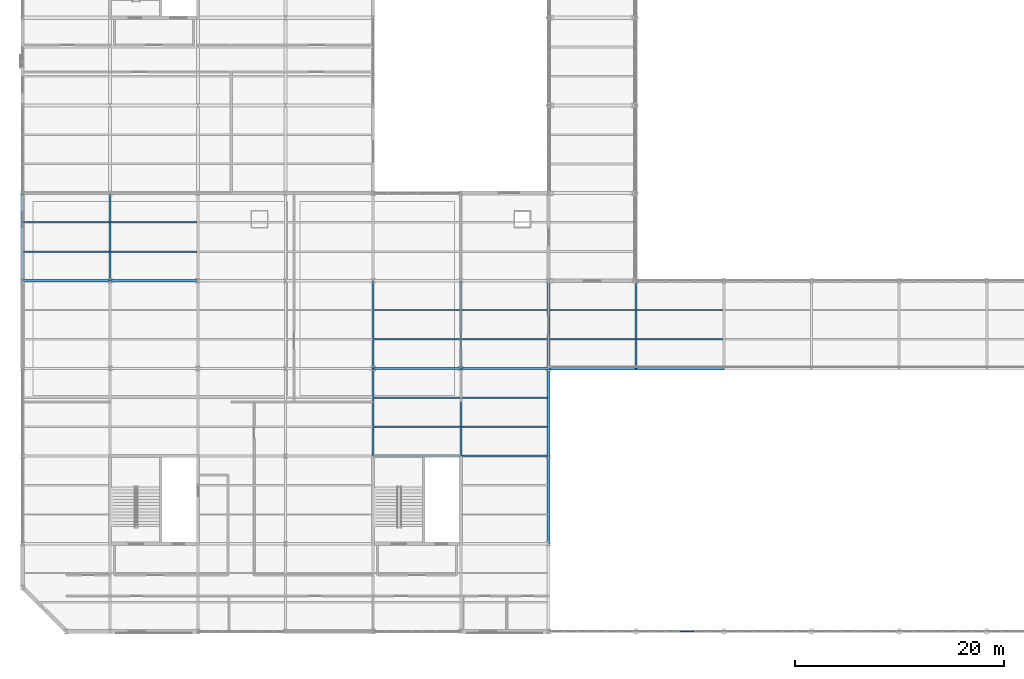
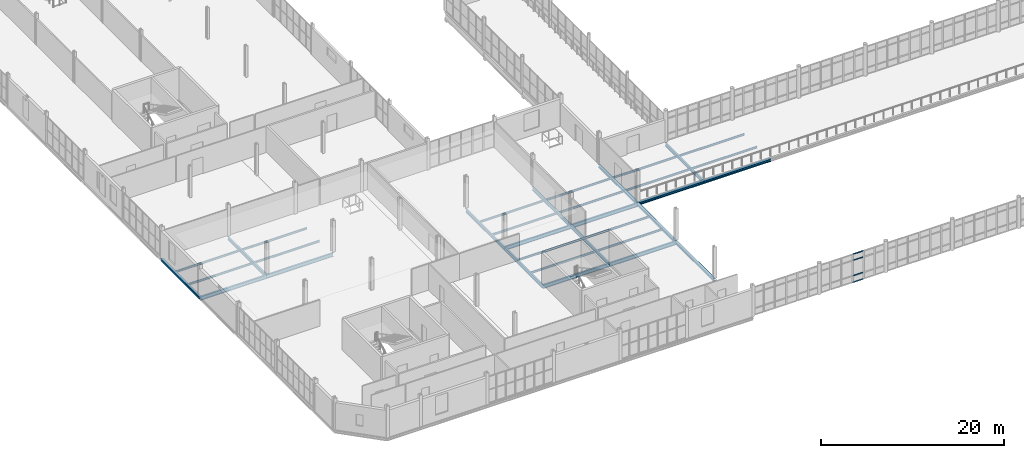
# One storey, part 37 of 163: 34 beams, 4 members, 1 element without a shape of its own.
"""IFC4 building model written with IfcOpenShell, lengths in metres."""

import ifcopenshell
import ifcopenshell.guid

model = None  # the IFC model being written
_history = None  # IfcOwnerHistory: only IFC2X3 demands one
_inside = {}  # id of a spatial element -> (the spatial element, [elements in it])
_under = {}  # id of a project, library or spatial element -> (it, [spatial elements below it])
_declared = {}  # id of a project -> (the project, [libraries it declares])
_typed = {}  # id of a type object -> (the type object, [elements of that type])
_made_of = {}  # id of a material, layer set ... -> (it, [elements and type objects made of it])


def new_model(schema):
    """Start an empty IFC model of exactly this schema.

    Asked for "IFC4X3", IfcOpenShell would pick the latest addendum, in which some entities
    have other attributes; the version numbers below select the first issue.
    IFC2X3 requires an IfcOwnerHistory on every rooted entity: one is made here for all.
    """
    global model, _history
    if schema == "IFC4X3":
        model = ifcopenshell.file(schema_version=(4, 3, 0, 0))
    else:
        model = ifcopenshell.file(schema=schema)
    _inside.clear()
    _under.clear()
    _declared.clear()
    _typed.clear()
    _made_of.clear()
    _history = None
    if model.schema == "IFC2X3":
        org = make("IfcOrganization", Name="unknown")
        user = make(
            "IfcPersonAndOrganization",
            ThePerson=make("IfcPerson", FamilyName="unknown"),
            TheOrganization=org,
        )
        app = make(
            "IfcApplication",
            ApplicationDeveloper=org,
            Version="unknown",
            ApplicationFullName="unknown",
            ApplicationIdentifier="unknown",
        )
        _history = make(
            "IfcOwnerHistory",
            OwningUser=user,
            OwningApplication=app,
            ChangeAction="ADDED",
            CreationDate=0,
        )
    return model


def make(cls, **values):
    """One entity of the class cls with the attributes given. An attribute that is None is left unset."""
    return model.create_entity(
        cls, **{name: value for name, value in values.items() if value is not None}
    )


def rooted(cls, **values):
    """An entity with a GlobalId (a new one), such as an element, a storey or a relation."""
    return make(cls, GlobalId=ifcopenshell.guid.new(), OwnerHistory=_history, **values)


def si_unit(unit_type, name, prefix=None):
    """IfcSIUnit, for example si_unit("LENGTHUNIT", "METRE", prefix="MILLI")."""
    return make("IfcSIUnit", UnitType=unit_type, Prefix=prefix, Name=name)


def assignment(units):
    """IfcUnitAssignment: the units of a project."""
    return None if units is None else make("IfcUnitAssignment", Units=units)


def point(xyz):
    """IfcCartesianPoint."""
    return None if xyz is None else make("IfcCartesianPoint", Coordinates=xyz)


def direction(xyz):
    """IfcDirection."""
    return None if xyz is None else make("IfcDirection", DirectionRatios=xyz)


def frame(location, z_axis=None, x_axis=None):
    """IfcAxis2Placement3D, a coordinate frame: its origin and axes. An axis left out is left unset."""
    return make(
        "IfcAxis2Placement3D",
        Location=point(location),
        Axis=direction(z_axis),
        RefDirection=direction(x_axis),
    )


def frame_2d(location, x_axis=None):
    """IfcAxis2Placement2D, a coordinate frame in the plane: its origin and x axis."""
    return make(
        "IfcAxis2Placement2D", Location=point(location), RefDirection=direction(x_axis)
    )


def origin():
    """The frame at (0, 0, 0) with its axes left unset."""
    return frame((0.0, 0.0, 0.0))


def origin_2d():
    """The frame at (0, 0) in the plane with its x axis left unset."""
    return frame_2d((0.0, 0.0))


def place(relative_to, where):
    """IfcLocalPlacement: puts the frame where relative to a parent placement (None: the world)."""
    return make(
        "IfcLocalPlacement", PlacementRelTo=relative_to, RelativePlacement=where
    )


def context(
    kind, dimensions, precision=None, world=None, true_north=None, identifier=None
):
    """IfcGeometricRepresentationContext, for example the 3D "Model" context."""
    return make(
        "IfcGeometricRepresentationContext",
        ContextIdentifier=identifier,
        ContextType=kind,
        CoordinateSpaceDimension=dimensions,
        Precision=precision,
        WorldCoordinateSystem=world,
        TrueNorth=true_north,
    )


def subcontext(parent, identifier, kind, view, scale=None):
    """IfcGeometricRepresentationSubContext, for example "Body" below "Model"."""
    return make(
        "IfcGeometricRepresentationSubContext",
        ContextIdentifier=identifier,
        ContextType=kind,
        ParentContext=parent,
        TargetScale=scale,
        TargetView=view,
    )


def project(units=None, contexts=None):
    """IfcProject with its units and contexts."""
    return rooted(
        "IfcProject",
        Name="project",
        RepresentationContexts=contexts,
        UnitsInContext=assignment(units),
    )


def spatial(cls, under=None, at=None, **own):
    """A site, building, storey or space (cls), placed at a placement, below another one or the project."""
    s = rooted(cls, ObjectPlacement=at, **own)
    if under is not None:
        _under.setdefault(under.id(), (under, []))[1].append(s)
    return s


def profile(cls, at=None, kind="AREA", **sizes):
    """A parametric profile (cls). Its sizes go by their IFC names, for example OverallWidth=200.0."""
    return make(cls, ProfileType=kind, Position=at, **sizes)


def hollow_rectangle(**sizes):
    """IfcRectangleHollowProfileDef."""
    return profile("IfcRectangleHollowProfileDef", **sizes)


def i_section(**sizes):
    """IfcIShapeProfileDef."""
    return profile("IfcIShapeProfileDef", **sizes)


def extrude(swept, where, along, depth):
    """IfcExtrudedAreaSolid: the profile swept, set in the frame where, extruded along a direction by depth."""
    return make(
        "IfcExtrudedAreaSolid",
        SweptArea=swept,
        Position=where,
        ExtrudedDirection=direction(along),
        Depth=depth,
    )


def shape(context_of_items, identifier, shape_type, items):
    """IfcShapeRepresentation: the items that make up one representation, for example the "Body"."""
    return make(
        "IfcShapeRepresentation",
        ContextOfItems=context_of_items,
        RepresentationIdentifier=identifier,
        RepresentationType=shape_type,
        Items=items,
    )


def material(Name=None, Category=None):
    """IfcMaterial."""
    return make("IfcMaterial", Name=Name, Category=Category)


def layer(
    of_material, thickness, ventilated=None, Name=None, Category=None, Priority=None
):
    """IfcMaterialLayer: one layer of a wall or slab, of a material (None: an air gap)."""
    return make(
        "IfcMaterialLayer",
        Material=of_material,
        LayerThickness=thickness,
        IsVentilated=ventilated,
        Name=Name,
        Category=Category,
        Priority=Priority,
    )


def layer_set(layers, Name=None):
    """IfcMaterialLayerSet."""
    return make("IfcMaterialLayerSet", MaterialLayers=layers, LayerSetName=Name)


def material_profile(
    of_material, cross_section, Name=None, Category=None, Priority=None
):
    """IfcMaterialProfile: a cross section and its material."""
    return make(
        "IfcMaterialProfile",
        Name=Name,
        Material=of_material,
        Profile=cross_section,
        Priority=Priority,
        Category=Category,
    )


def profile_set(profiles, Name=None, composite=None):
    """IfcMaterialProfileSet."""
    return make(
        "IfcMaterialProfileSet",
        Name=Name,
        MaterialProfiles=profiles,
        CompositeProfile=composite,
    )


def made_of(thing, what):
    """Note that an element or type object is made of a material, layer set ...; save() writes the relation."""
    if what is not None:
        _made_of.setdefault(what.id(), (what, []))[1].append(thing)
    return thing


def type_object(cls, material=None, **own):
    """A type object (cls), such as IfcWallType, which elements share."""
    return made_of(rooted(cls, **own), material)


def element(
    cls,
    number,
    at=None,
    inside=None,
    cuts=None,
    type_object=None,
    material=None,
    context=None,
    identifier="Body",
    shape_type=None,
    held_by="IfcProductDefinitionShape",
    body=None,
    shapes=None,
    **own,
):
    """One element of the class cls, such as IfcWall. Its Tag is "e" and its number.

    at: its placement. inside: the storey or other place that contains it. cuts: it is an
    opening in that element (IfcRelVoidsElement). A single representation is given by context,
    identifier, shape_type and body (its items); several are given by shapes. held_by: the class
    of the entity that holds the representations. save() writes the other relations.
    """
    e = rooted(cls, Tag="e%d" % number, ObjectPlacement=at, **own)
    if body is not None:
        shapes = [shape(context, identifier, shape_type, body)]
    if shapes is not None:
        e.Representation = make(held_by, Representations=shapes)
    if inside is not None:
        _inside.setdefault(inside.id(), (inside, []))[1].append(e)
    if cuts is not None:
        rooted(
            "IfcRelVoidsElement", RelatingBuildingElement=cuts, RelatedOpeningElement=e
        )
    if type_object is not None:
        _typed.setdefault(type_object.id(), (type_object, []))[1].append(e)
    return made_of(e, material)


def aggregate(whole, parts):
    """IfcRelAggregates: a whole, such as a stair, and the parts it consists of."""
    return rooted("IfcRelAggregates", RelatingObject=whole, RelatedObjects=parts)


def save(model, path):
    """Write the relations noted so far, then the file.

    IfcRelAggregates (storeys below a building ...), IfcRelContainedInSpatialStructure (elements
    in a storey), IfcRelDefinesByType, IfcRelAssociatesMaterial and IfcRelDeclares: one each for
    every whole, place, type object, material and project.
    """
    for whole, parts in _under.values():
        aggregate(whole, parts)
    for where, things in _inside.values():
        rooted(
            "IfcRelContainedInSpatialStructure",
            RelatedElements=things,
            RelatingStructure=where,
        )
    for kind, things in _typed.values():
        rooted("IfcRelDefinesByType", RelatedObjects=things, RelatingType=kind)
    for what, things in _made_of.values():
        rooted("IfcRelAssociatesMaterial", RelatedObjects=things, RelatingMaterial=what)
    for by, libraries in _declared.values():
        rooted("IfcRelDeclares", RelatingContext=by, RelatedDefinitions=libraries)
    model.write(path)


model = new_model("IFC4")

# Units and contexts
model_context = context("Model", 3, precision=1e-05, world=origin(), true_north=direction((0.0, 1.0)))
body_context = subcontext(model_context, "Body", "Model", "MODEL_VIEW")
ifc_project = project(units=[si_unit("LENGTHUNIT", "METRE"), si_unit("AREAUNIT", "SQUARE_METRE"), si_unit("VOLUMEUNIT", "CUBIC_METRE"), si_unit("PLANEANGLEUNIT", "RADIAN"), si_unit("MASSUNIT", "GRAM", prefix="KILO")], contexts=[model_context])

# Site, building, storey
site_placement = place(None, origin())
site = spatial("IfcSite", under=ifc_project, at=site_placement, CompositionType="ELEMENT")
building_placement = place(site_placement, origin())
building = spatial("IfcBuilding", under=site, at=building_placement, Name="Qalvenar Corner Mobility Hub", CompositionType="ELEMENT")
storey_placement = place(building_placement, frame((0.0, 0.0, 4.800048828125)))
storey = spatial("IfcBuildingStorey", under=building, at=storey_placement, Name="L01", CompositionType="ELEMENT", Elevation=4.800048828125)

# Beams
ifc_material_1 = material(Name="Steel S355", Category="steel")
ifc_material_profile_1 = material_profile(ifc_material_1, i_section(OverallWidth=0.18994140625, OverallDepth=0.449951171875, WebThickness=0.009521484375, FlangeThickness=0.0146484375, FilletRadius=0.02099609375, at=origin_2d()), Name="IPE450")
ifc_profile_set_1 = profile_set([ifc_material_profile_1], Name="Steel S355")
beam_type_1 = type_object("IfcBeamType", Name="BM-IPE450", PredefinedType="BEAM", material=ifc_profile_set_1)
for number, where, z_axis, x_axis, name in (
    (1, (8.39990234375, 33.60009765625, -0.405029296875), (0.0, 1.0, 0.0), (-1.0, 0.0, 0.0), "Primary Steel Girder GY-0860"),
    (2, (33.60009765625, 16.800048828125, -0.405029296875), (0.0, 1.0, 0.0), (-1.0, 0.0, 0.0), "Primary Steel Girder GY-0873"),
):
    element("IfcBeam", number, at=place(storey_placement, frame(where, z_axis=z_axis, x_axis=x_axis)), inside=storey, type_object=beam_type_1, Name=name, PredefinedType="BEAM", context=body_context, shape_type="SweptSolid", body=[
        extrude(i_section(OverallWidth=0.18994140625, OverallDepth=0.449951171875, WebThickness=0.009521484375, FlangeThickness=0.0146484375, FilletRadius=0.02099609375, at=origin_2d()), origin(), (0.0, 0.0, 1.0), 8.39990234375),
    ])
beam_1_placement = place(storey_placement, frame((33.60009765625, 25.199951171875, -0.405029296875), z_axis=(0.0, 1.0, 0.0), x_axis=(-1.0, 0.0, 0.0)))
element("IfcBeam", 3, at=beam_1_placement, inside=storey, type_object=beam_type_1, Name="Primary Steel Girder GY-0874", PredefinedType="BEAM", context=body_context, shape_type="SweptSolid", body=[
    extrude(i_section(OverallWidth=0.18994140625, OverallDepth=0.449951171875, WebThickness=0.009521484375, FlangeThickness=0.0146484375, FilletRadius=0.02099609375, at=origin_2d()), origin(), (0.0, 0.0, 1.0), 8.400146484375),
])
beam_2_placement = place(storey_placement, frame((42.0, 16.800048828125, -0.405029296875), z_axis=(0.0, 1.0, 0.0), x_axis=(-1.0, 0.0, 0.0)))
element("IfcBeam", 4, at=beam_2_placement, inside=storey, type_object=beam_type_1, Name="Primary Steel Girder GY-0878", PredefinedType="BEAM", context=body_context, shape_type="SweptSolid", body=[
    extrude(i_section(OverallWidth=0.18994140625, OverallDepth=0.449951171875, WebThickness=0.009521484375, FlangeThickness=0.0146484375, FilletRadius=0.02099609375, at=origin_2d()), origin(), (0.0, 0.0, 1.0), 8.39990234375),
])
for number, where, z_axis, x_axis, name in (
    (5, (42.0, 25.199951171875, -0.405029296875), (0.0, 1.0, 0.0), (-1.0, 0.0, 0.0), "Primary Steel Girder GY-0879"),
    (6, (58.800048828125, 25.199951171875, -0.405029296875), (0.0, 1.0, 0.0), (-1.0, 0.0, 0.0), "Primary Steel Girder GY-0957"),
):
    element("IfcBeam", number, at=place(storey_placement, frame(where, z_axis=z_axis, x_axis=x_axis)), inside=storey, type_object=beam_type_1, Name=name, PredefinedType="BEAM", context=body_context, shape_type="SweptSolid", body=[
        extrude(i_section(OverallWidth=0.18994140625, OverallDepth=0.449951171875, WebThickness=0.009521484375, FlangeThickness=0.0146484375, FilletRadius=0.02099609375, at=origin_2d()), origin(), (0.0, 0.0, 1.0), 8.400146484375),
    ])
ifc_material_profile_2 = material_profile(ifc_material_1, i_section(OverallWidth=0.199951171875, OverallDepth=0.5, WebThickness=0.01025390625, FlangeThickness=0.01611328125, FilletRadius=0.02099609375, at=origin_2d()), Name="IPE500")
ifc_profile_set_2 = profile_set([ifc_material_profile_2], Name="Steel S355")
beam_type_2 = type_object("IfcBeamType", Name="BM-IPE500", PredefinedType="BEAM", material=ifc_profile_set_2)
for number, where, z_axis, x_axis, name in (
    (7, (33.60009765625, 16.800048828125, -0.429931640625), (1.0, 0.0, 0.0), (0.0, 1.0, 0.0), "Primary Steel Girder GX-0831"),
    (8, (42.0, 16.800048828125, -0.429931640625), (1.0, 0.0, 0.0), (0.0, 1.0, 0.0), "Primary Steel Girder GX-0832"),
    (9, (33.60009765625, 25.199951171875, -0.429931640625), (1.0, 0.0, 0.0), (0.0, 1.0, 0.0), "Primary Steel Girder GX-0837"),
    (10, (42.0, 25.199951171875, -0.429931640625), (1.0, 0.0, 0.0), (0.0, 1.0, 0.0), "Primary Steel Girder GX-0838"),
    (11, (0.0, 33.60009765625, -0.429931640625), (1.0, 0.0, 0.0), (0.0, 1.0, 0.0), "Primary Steel Girder GX-0839"),
):
    element("IfcBeam", number, at=place(storey_placement, frame(where, z_axis=z_axis, x_axis=x_axis)), inside=storey, type_object=beam_type_2, Name=name, PredefinedType="BEAM", context=body_context, shape_type="SweptSolid", body=[
        extrude(i_section(OverallWidth=0.199951171875, OverallDepth=0.5, WebThickness=0.01025390625, FlangeThickness=0.01611328125, FilletRadius=0.02099609375, at=origin_2d()), origin(), (0.0, 0.0, 1.0), 8.39990234375),
    ])
beam_3_placement = place(storey_placement, frame((8.39990234375, 33.60009765625, -0.429931640625), z_axis=(1.0, 0.0, 0.0), x_axis=(0.0, 1.0, 0.0)))
element("IfcBeam", 12, at=beam_3_placement, inside=storey, type_object=beam_type_2, Name="Primary Steel Girder GX-0840", PredefinedType="BEAM", context=body_context, shape_type="SweptSolid", body=[
    extrude(i_section(OverallWidth=0.199951171875, OverallDepth=0.5, WebThickness=0.01025390625, FlangeThickness=0.01611328125, FilletRadius=0.02099609375, at=origin_2d()), origin(), (0.0, 0.0, 1.0), 8.400146484375),
])
ifc_material_profile_3 = material_profile(ifc_material_1, i_section(OverallWidth=0.135009765625, OverallDepth=0.27001953125, WebThickness=0.006591796875, FlangeThickness=0.01025390625, FilletRadius=0.014892578125, at=origin_2d()), Name="IPE270")
ifc_profile_set_3 = profile_set([ifc_material_profile_3], Name="Steel S355")
beam_type_3 = type_object("IfcBeamType", Name="BM-JST270", PredefinedType="JOIST", material=ifc_profile_set_3)
for number, where, z_axis, x_axis, name in (
    (13, (0.077880859375, 36.39990234375, -0.31494140625), (1.0, 0.0, 0.0), (0.0, 1.0, 0.0), "Composite Floor Joist J-0895"),
    (14, (0.077880859375, 39.199951171875, -0.31494140625), (1.0, 0.0, 0.0), (0.0, 1.0, 0.0), "Composite Floor Joist J-0896"),
):
    element("IfcBeam", number, at=place(storey_placement, frame(where, z_axis=z_axis, x_axis=x_axis)), inside=storey, type_object=beam_type_3, Name=name, PredefinedType="JOIST", context=body_context, shape_type="SweptSolid", body=[
        extrude(i_section(OverallWidth=0.135009765625, OverallDepth=0.27001953125, WebThickness=0.006591796875, FlangeThickness=0.01025390625, FilletRadius=0.014892578125, at=origin_2d()), origin(), (0.0, 0.0, 1.0), 8.244140625),
    ])
for number, where, z_axis, x_axis, name in (
    (15, (8.47802734375, 36.39990234375, -0.31494140625), (1.0, 0.0, 0.0), (0.0, 1.0, 0.0), "Composite Floor Joist J-0903"),
    (16, (8.47802734375, 39.199951171875, -0.31494140625), (1.0, 0.0, 0.0), (0.0, 1.0, 0.0), "Composite Floor Joist J-0904"),
):
    element("IfcBeam", number, at=place(storey_placement, frame(where, z_axis=z_axis, x_axis=x_axis)), inside=storey, type_object=beam_type_3, Name=name, PredefinedType="JOIST", context=body_context, shape_type="SweptSolid", body=[
        extrude(i_section(OverallWidth=0.135009765625, OverallDepth=0.27001953125, WebThickness=0.006591796875, FlangeThickness=0.01025390625, FilletRadius=0.014892578125, at=origin_2d()), origin(), (0.0, 0.0, 1.0), 8.243896484375),
    ])
for number, where, z_axis, x_axis, name in (
    (17, (33.677978515625, 19.60009765625, -0.31494140625), (1.0, 0.0, 0.0), (0.0, 1.0, 0.0), "Composite Floor Joist J-0927"),
    (18, (33.677978515625, 22.39990234375, -0.31494140625), (1.0, 0.0, 0.0), (0.0, 1.0, 0.0), "Composite Floor Joist J-0928"),
    (19, (33.677978515625, 28.0, -0.31494140625), (1.0, 0.0, 0.0), (0.0, 1.0, 0.0), "Composite Floor Joist J-0929"),
    (20, (33.677978515625, 30.800048828125, -0.31494140625), (1.0, 0.0, 0.0), (0.0, 1.0, 0.0), "Composite Floor Joist J-0930"),
    (21, (42.077880859375, 19.60009765625, -0.31494140625), (1.0, 0.0, 0.0), (0.0, 1.0, 0.0), "Composite Floor Joist J-0937"),
    (22, (42.077880859375, 22.39990234375, -0.31494140625), (1.0, 0.0, 0.0), (0.0, 1.0, 0.0), "Composite Floor Joist J-0938"),
    (23, (42.077880859375, 28.0, -0.31494140625), (1.0, 0.0, 0.0), (0.0, 1.0, 0.0), "Composite Floor Joist J-0939"),
    (24, (42.077880859375, 30.800048828125, -0.31494140625), (1.0, 0.0, 0.0), (0.0, 1.0, 0.0), "Composite Floor Joist J-0940"),
):
    element("IfcBeam", number, at=place(storey_placement, frame(where, z_axis=z_axis, x_axis=x_axis)), inside=storey, type_object=beam_type_3, Name=name, PredefinedType="JOIST", context=body_context, shape_type="SweptSolid", body=[
        extrude(i_section(OverallWidth=0.135009765625, OverallDepth=0.27001953125, WebThickness=0.006591796875, FlangeThickness=0.01025390625, FilletRadius=0.014892578125, at=origin_2d()), origin(), (0.0, 0.0, 1.0), 8.244140625),
    ])
for number, where, z_axis, x_axis, name in (
    (25, (50.47802734375, 28.0, -0.31494140625), (1.0, 0.0, 0.0), (0.0, 1.0, 0.0), "Composite Floor Joist J-0964"),
    (26, (50.47802734375, 30.800048828125, -0.31494140625), (1.0, 0.0, 0.0), (0.0, 1.0, 0.0), "Composite Floor Joist J-0965"),
):
    element("IfcBeam", number, at=place(storey_placement, frame(where, z_axis=z_axis, x_axis=x_axis)), inside=storey, type_object=beam_type_3, Name=name, PredefinedType="JOIST", context=body_context, shape_type="SweptSolid", body=[
        extrude(i_section(OverallWidth=0.135009765625, OverallDepth=0.27001953125, WebThickness=0.006591796875, FlangeThickness=0.01025390625, FilletRadius=0.014892578125, at=origin_2d()), origin(), (0.0, 0.0, 1.0), 8.243896484375),
    ])
for number, where, z_axis, x_axis, name in (
    (27, (58.8779296875, 28.0, -0.31494140625), (1.0, 0.0, 0.0), (0.0, 1.0, 0.0), "Composite Floor Joist J-0966"),
    (28, (58.8779296875, 30.800048828125, -0.31494140625), (1.0, 0.0, 0.0), (0.0, 1.0, 0.0), "Composite Floor Joist J-0967"),
):
    element("IfcBeam", number, at=place(storey_placement, frame(where, z_axis=z_axis, x_axis=x_axis)), inside=storey, type_object=beam_type_3, Name=name, PredefinedType="JOIST", context=body_context, shape_type="SweptSolid", body=[
        extrude(i_section(OverallWidth=0.135009765625, OverallDepth=0.27001953125, WebThickness=0.006591796875, FlangeThickness=0.01025390625, FilletRadius=0.014892578125, at=origin_2d()), origin(), (0.0, 0.0, 1.0), 8.244140625),
    ])
ifc_material_profile_4 = material_profile(ifc_material_1, i_section(OverallWidth=0.300048828125, OverallDepth=0.31005859375, WebThickness=0.009033203125, FlangeThickness=0.015380859375, FilletRadius=0.027099609375, at=origin_2d()), Name="HEA320")
ifc_profile_set_4 = profile_set([ifc_material_profile_4], Name="Steel S355")
beam_type_4 = type_object("IfcBeamType", Name="BM-SPN320", PredefinedType="SPANDREL", material=ifc_profile_set_4)
beam_4_placement = place(storey_placement, frame((0.0, 33.60009765625, -0.3349609375), z_axis=(0.0, 1.0, 0.0), x_axis=(-1.0, 0.0, 0.0)))
element("IfcBeam", 29, at=beam_4_placement, inside=storey, type_object=beam_type_4, Name="Primary Steel Girder GY-0855", PredefinedType="SPANDREL", context=body_context, shape_type="SweptSolid", body=[
    extrude(i_section(OverallWidth=0.300048828125, OverallDepth=0.31005859375, WebThickness=0.009033203125, FlangeThickness=0.015380859375, FilletRadius=0.027099609375, at=origin_2d()), origin(), (0.0, 0.0, 1.0), 8.39990234375),
])
beam_5_placement = place(storey_placement, frame((50.39990234375, 8.39990234375, -0.3349609375), z_axis=(0.0, 1.0, 0.0), x_axis=(-1.0, 0.0, 0.0)))
element("IfcBeam", 30, at=beam_5_placement, inside=storey, type_object=beam_type_4, Name="Primary Steel Girder GY-0882", PredefinedType="SPANDREL", context=body_context, shape_type="SweptSolid", body=[
    extrude(i_section(OverallWidth=0.300048828125, OverallDepth=0.31005859375, WebThickness=0.009033203125, FlangeThickness=0.015380859375, FilletRadius=0.027099609375, at=origin_2d()), origin(), (0.0, 0.0, 1.0), 8.400146484375),
])
beam_6_placement = place(storey_placement, frame((50.39990234375, 16.800048828125, -0.3349609375), z_axis=(0.0, 1.0, 0.0), x_axis=(-1.0, 0.0, 0.0)))
element("IfcBeam", 31, at=beam_6_placement, inside=storey, type_object=beam_type_4, Name="Primary Steel Girder GY-0883", PredefinedType="SPANDREL", context=body_context, shape_type="SweptSolid", body=[
    extrude(i_section(OverallWidth=0.300048828125, OverallDepth=0.31005859375, WebThickness=0.009033203125, FlangeThickness=0.015380859375, FilletRadius=0.027099609375, at=origin_2d()), origin(), (0.0, 0.0, 1.0), 8.39990234375),
])
beam_7_placement = place(storey_placement, frame((50.39990234375, 25.199951171875, -0.3349609375), z_axis=(0.0, 1.0, 0.0), x_axis=(-1.0, 0.0, 0.0)))
element("IfcBeam", 32, at=beam_7_placement, inside=storey, type_object=beam_type_4, Name="Primary Steel Girder GY-0884", PredefinedType="SPANDREL", context=body_context, shape_type="SweptSolid", body=[
    extrude(i_section(OverallWidth=0.300048828125, OverallDepth=0.31005859375, WebThickness=0.009033203125, FlangeThickness=0.015380859375, FilletRadius=0.027099609375, at=origin_2d()), origin(), (0.0, 0.0, 1.0), 8.400146484375),
])
ifc_material_profile_5 = material_profile(ifc_material_1, i_section(OverallWidth=0.300048828125, OverallDepth=0.330078125, WebThickness=0.009521484375, FlangeThickness=0.0166015625, FilletRadius=0.027099609375, at=origin_2d()), Name="HEA340")
ifc_profile_set_5 = profile_set([ifc_material_profile_5], Name="Steel S355")
beam_type_5 = type_object("IfcBeamType", Name="BM-SPN340", PredefinedType="SPANDREL", material=ifc_profile_set_5)
beam_8_placement = place(storey_placement, frame((50.39990234375, 25.199951171875, -0.344970703125), z_axis=(1.0, 0.0, 0.0), x_axis=(0.0, 1.0, 0.0)))
element("IfcBeam", 33, at=beam_8_placement, inside=storey, type_object=beam_type_5, Name="Primary Steel Girder GX-0943", PredefinedType="SPANDREL", context=body_context, shape_type="SweptSolid", body=[
    extrude(i_section(OverallWidth=0.300048828125, OverallDepth=0.330078125, WebThickness=0.009521484375, FlangeThickness=0.0166015625, FilletRadius=0.027099609375, at=origin_2d()), origin(), (0.0, 0.0, 1.0), 8.400146484375),
])
beam_9_placement = place(storey_placement, frame((58.800048828125, 25.199951171875, -0.344970703125), z_axis=(1.0, 0.0, 0.0), x_axis=(0.0, 1.0, 0.0)))
element("IfcBeam", 34, at=beam_9_placement, inside=storey, type_object=beam_type_5, Name="Primary Steel Girder GX-0944", PredefinedType="SPANDREL", context=body_context, shape_type="SweptSolid", body=[
    extrude(i_section(OverallWidth=0.300048828125, OverallDepth=0.330078125, WebThickness=0.009521484375, FlangeThickness=0.0166015625, FilletRadius=0.027099609375, at=origin_2d()), origin(), (0.0, 0.0, 1.0), 8.39990234375),
])

# Curtain wall, members
ifc_material_2 = material(Name="Anodised Aluminium and Low-E Glazing", Category="aluminium")
ifc_layer = layer(ifc_material_2, 0.179931640625)
ifc_layer_set = layer_set([ifc_layer], Name="Anodised Aluminium and Low-E Glazing")
curtain_wall_type = type_object("IfcCurtainWallType", Name="CW-CONC-84X42", PredefinedType="NOTDEFINED", material=ifc_layer_set)
curtain_wall_placement = place(storey_placement, origin())
curtain_wall = element("IfcCurtainWall", 35, at=curtain_wall_placement, inside=storey, type_object=curtain_wall_type, Name="Glazed Curtain Wall CW-V1-L01-S1", PredefinedType="NOTDEFINED")
ifc_material_3 = material(Name="Anodised Aluminium 6063-T6", Category="aluminium")
ifc_material_profile_6 = material_profile(ifc_material_3, hollow_rectangle(XDim=0.06005859375, YDim=0.14990234375, WallThickness=0.00341796875, InnerFilletRadius=0.00341796875, OuterFilletRadius=0.007080078125, at=origin_2d()), Name="RHS150x60x3.5")
ifc_profile_set_6 = profile_set([ifc_material_profile_6], Name="Anodised Aluminium 6063-T6")
member_type = type_object("IfcMemberType", Name="CW-TRN150", PredefinedType="USERDEFINED", material=ifc_profile_set_6)
member_1_placement = place(storey_placement, frame((63.030029296875, 0.0, 0.02734375), z_axis=(1.0, 0.0, 0.0), x_axis=(0.0, 1.0, 0.0)))
member_1 = element("IfcMember", 36, at=member_1_placement, type_object=member_type, Name="CW-02 transom 4.1", ObjectType="TRANSOM", PredefinedType="USERDEFINED", context=body_context, shape_type="SweptSolid", body=[
    extrude(hollow_rectangle(XDim=0.06005859375, YDim=0.14990234375, WallThickness=0.00341796875, InnerFilletRadius=0.00341796875, OuterFilletRadius=0.007080078125, at=origin_2d()), origin(), (0.0, 0.0, 1.0), 1.340087890625),
])
member_2_placement = place(storey_placement, frame((63.030029296875, 0.0, 0.89990234375), z_axis=(1.0, 0.0, 0.0), x_axis=(0.0, 1.0, 0.0)))
member_2 = element("IfcMember", 37, at=member_2_placement, type_object=member_type, Name="CW-02 transom 4.2", ObjectType="TRANSOM", PredefinedType="USERDEFINED", context=body_context, shape_type="SweptSolid", body=[
    extrude(hollow_rectangle(XDim=0.06005859375, YDim=0.14990234375, WallThickness=0.00341796875, InnerFilletRadius=0.00341796875, OuterFilletRadius=0.007080078125, at=origin_2d()), origin(), (0.0, 0.0, 1.0), 1.340087890625),
])
member_3_placement = place(storey_placement, frame((63.030029296875, 0.0, 2.949951171875), z_axis=(1.0, 0.0, 0.0), x_axis=(0.0, 1.0, 0.0)))
member_3 = element("IfcMember", 38, at=member_3_placement, type_object=member_type, Name="CW-02 transom 4.3", ObjectType="TRANSOM", PredefinedType="USERDEFINED", context=body_context, shape_type="SweptSolid", body=[
    extrude(hollow_rectangle(XDim=0.06005859375, YDim=0.14990234375, WallThickness=0.00341796875, InnerFilletRadius=0.00341796875, OuterFilletRadius=0.007080078125, at=origin_2d()), origin(), (0.0, 0.0, 1.0), 1.340087890625),
])
member_4_placement = place(storey_placement, frame((63.030029296875, 0.0, 3.7724609375), z_axis=(1.0, 0.0, 0.0), x_axis=(0.0, 1.0, 0.0)))
member_4 = element("IfcMember", 39, at=member_4_placement, type_object=member_type, Name="CW-02 transom 4.4", ObjectType="TRANSOM", PredefinedType="USERDEFINED", context=body_context, shape_type="SweptSolid", body=[
    extrude(hollow_rectangle(XDim=0.06005859375, YDim=0.14990234375, WallThickness=0.00341796875, InnerFilletRadius=0.00341796875, OuterFilletRadius=0.007080078125, at=origin_2d()), origin(), (0.0, 0.0, 1.0), 1.340087890625),
])
aggregate(curtain_wall, [member_1, member_2, member_3, member_4])

save(model, "model.ifc")
